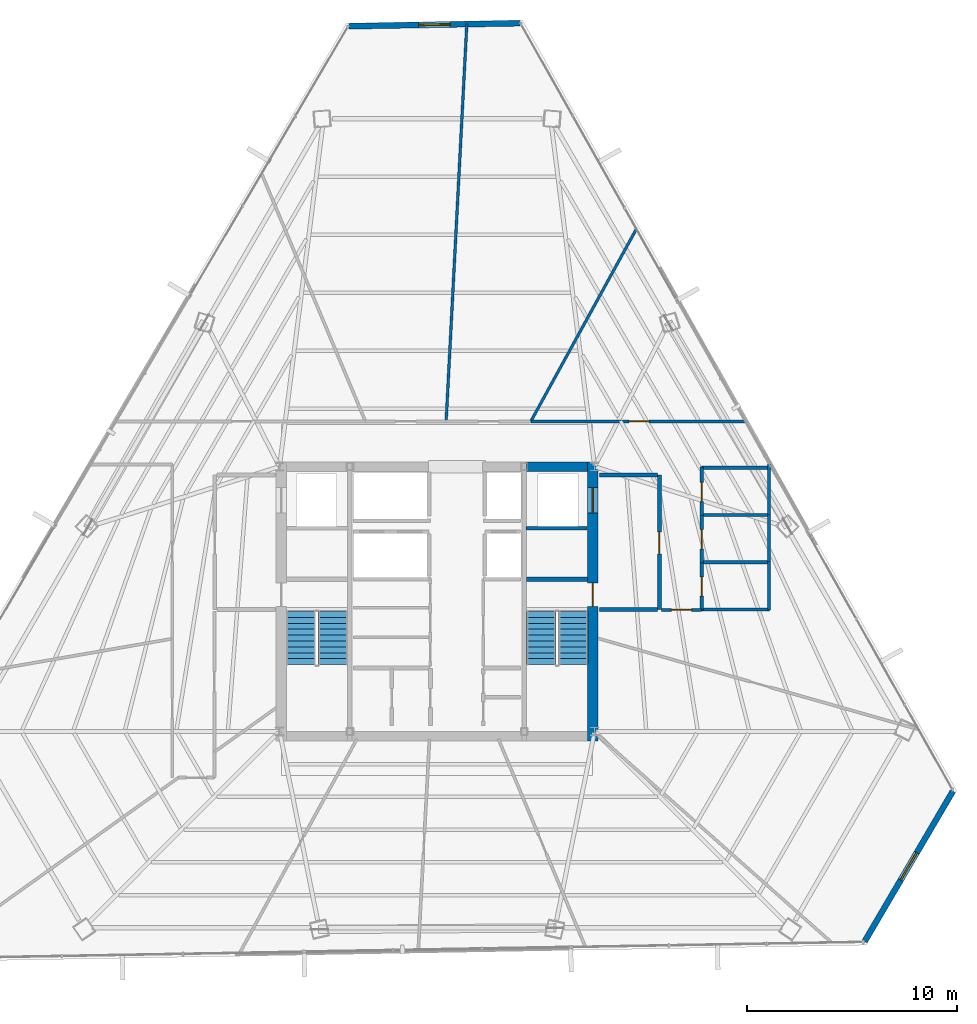
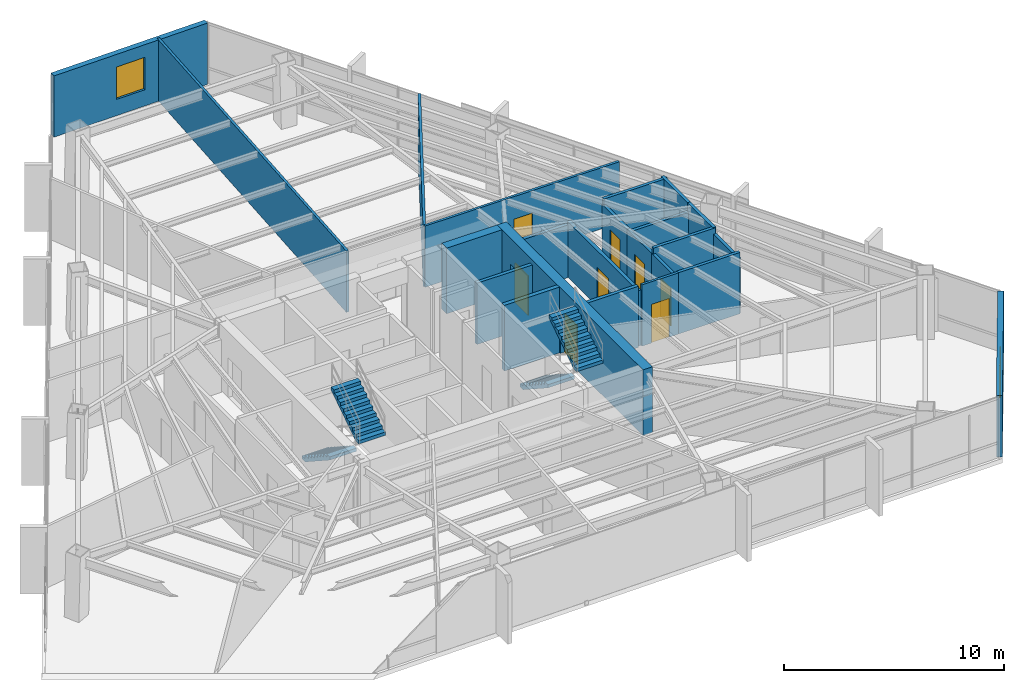
# One storey, part 37 of 42: 23 walls, 8 doors, 4 stair flights, 2 windows, 10 openings, 2 elements without a shape of their own.
"""IFC4 building model written with IfcOpenShell, lengths in metres."""

from ifc_helpers import new_model, si_unit, direction, frame, frame_2d, origin, place, context, subcontext, project, spatial, polyline, rectangle, outline, extrude, material, layer, layer_set, type_object, element, fill, aggregate, save


model = new_model("IFC4")

# Units and contexts
model_context = context("Model", 3, precision=1e-05, world=origin(), true_north=direction((0.0, 1.0)))
body_context = subcontext(model_context, "Body", "Model", "MODEL_VIEW")
ifc_project = project(units=[si_unit("LENGTHUNIT", "METRE"), si_unit("AREAUNIT", "SQUARE_METRE"), si_unit("VOLUMEUNIT", "CUBIC_METRE"), si_unit("PLANEANGLEUNIT", "RADIAN"), si_unit("MASSUNIT", "GRAM", prefix="KILO")], contexts=[model_context])

# Site, building, storey
site_placement = place(None, origin())
site = spatial("IfcSite", under=ifc_project, at=site_placement, CompositionType="ELEMENT")
building_placement = place(site_placement, origin())
building = spatial("IfcBuilding", under=site, at=building_placement, Name="Caelisora Broadcast Tower", CompositionType="ELEMENT")
storey_placement = place(building_placement, frame((0.0, 0.0, 187.699951171875)))
storey = spatial("IfcBuildingStorey", under=building, at=storey_placement, Name="L49", CompositionType="ELEMENT", Elevation=187.699951171875)

# Wall, openings, doors
ifc_material_1 = material(Name="Concrete 50 MPa (AS 3600 S50)", Category="concrete")
ifc_layer_1 = layer(ifc_material_1, 0.5, Name="Concrete 50 MPa (AS 3600 S50)")
ifc_layer_set_1 = layer_set([ifc_layer_1], Name="Concrete 50 MPa (AS 3600 S50)")
wall_type_1 = type_object("IfcWallType", Name="CW2", PredefinedType="SHEAR", material=ifc_layer_set_1)
wall_1_placement = place(storey_placement, frame((45.409912109375, 16.949951171875, 0.0), z_axis=(0.0, 0.0, 1.0), x_axis=(0.0, 1.0, 0.0)))
wall_1 = element("IfcWall", 1, at=wall_1_placement, inside=storey, type_object=wall_type_1, Name="L49 core shear wall CW2", PredefinedType="SHEAR", context=body_context, shape_type="SweptSolid", body=[
    extrude(rectangle(XDim=13.275146484375, YDim=0.5, at=frame_2d((6.6376953125, 0.0))), origin(), (0.0, 0.0, 1.0), 3.650146484375),
])
opening_1_placement = place(wall_1_placement, frame((6.39990234375, 0.0, 0.0)))
opening_1 = element("IfcOpeningElement", 2, at=opening_1_placement, cuts=wall_1, Name="Opening FD04", PredefinedType="OPENING", context=body_context, shape_type="SweptSolid", body=[
    extrude(rectangle(XDim=1.1201171875, YDim=2.14990234375, at=frame_2d((0.56005859375, 1.074951171875))), frame((0.0, 0.261962890625, 0.0), z_axis=(0.0, -1.0, 0.0), x_axis=(1.0, 0.0, 0.0)), (0.0, 0.0, 1.0), 0.52392578125),
])
opening_2_placement = place(wall_1_placement, frame((10.85009765625, 0.0, 0.0)))
opening_2 = element("IfcOpeningElement", 3, at=opening_2_placement, cuts=wall_1, Name="Opening LD04", PredefinedType="OPENING", context=body_context, shape_type="SweptSolid", body=[
    extrude(rectangle(XDim=1.199951171875, YDim=2.199951171875, at=frame_2d((0.60009765625, 1.10009765625))), frame((0.0, 0.261962890625, 0.0), z_axis=(0.0, -1.0, 0.0), x_axis=(1.0, 0.0, 0.0)), (0.0, 0.0, 1.0), 0.52392578125),
])
ifc_material_2 = material(Name="Pressurised Fire-Isolated Stair Door", Category="steel")
door_type_1 = type_object("IfcDoorType", Name="FD04", OperationType="NOTDEFINED", PredefinedType="DOOR", material=ifc_material_2)
door_1_placement = place(opening_1_placement, origin())
door_1 = element("IfcDoor", 4, at=door_1_placement, inside=storey, type_object=door_type_1, Name="L49 door FD04 (L49-DR-ST2)", OperationType="SINGLE_SWING_RIGHT", OverallHeight=2.14990234375, OverallWidth=1.1201171875, PredefinedType="DOOR", context=body_context, shape_type="SweptSolid", body=[
    extrude(rectangle(XDim=1.1201171875, YDim=2.14990234375, at=frame_2d((0.56005859375, 1.074951171875))), frame((0.0, 0.02490234375, 0.0), z_axis=(0.0, -1.0, 0.0), x_axis=(1.0, 0.0, 0.0)), (0.0, 0.0, 1.0), 0.050048828125),
])
fill(opening_1, door_1)
ifc_material_3 = material(Name="Emergency Firefighting Lift Sliding Landing Door", Category="steel")
door_type_2 = type_object("IfcDoorType", Name="LD04", OperationType="NOTDEFINED", PredefinedType="DOOR", material=ifc_material_3)
door_2_placement = place(opening_2_placement, origin())
door_2 = element("IfcDoor", 5, at=door_2_placement, inside=storey, type_object=door_type_2, Name="L49 door LD04 (L49-LD-FFL2)", OperationType="SLIDING_TO_RIGHT", OverallHeight=2.199951171875, OverallWidth=1.199951171875, PredefinedType="DOOR", context=body_context, shape_type="SweptSolid", body=[
    extrude(rectangle(XDim=1.199951171875, YDim=2.199951171875, at=frame_2d((0.60009765625, 1.10009765625))), frame((0.0, 0.02490234375, 0.0), z_axis=(0.0, -1.0, 0.0), x_axis=(1.0, 0.0, 0.0)), (0.0, 0.0, 1.0), 0.050048828125),
])
fill(opening_2, door_2)

# Walls
ifc_layer_2 = layer(ifc_material_1, 0.449951171875, Name="Concrete 50 MPa (AS 3600 S50)")
ifc_layer_set_2 = layer_set([ifc_layer_2], Name="Concrete 50 MPa (AS 3600 S50)")
wall_type_2 = type_object("IfcWallType", Name="CW5", PredefinedType="SHEAR", material=ifc_layer_set_2)
wall_2_placement = place(storey_placement, frame((42.260009765625, 30.0, 0.0), z_axis=(0.0, 0.0, 1.0), x_axis=(1.0, 0.0, 0.0)))
element("IfcWall", 6, at=wall_2_placement, inside=storey, type_object=wall_type_2, Name="L49 core shear wall CW5", PredefinedType="SHEAR", context=body_context, shape_type="SweptSolid", body=[
    extrude(rectangle(XDim=2.89990234375, YDim=0.449951171875, at=frame_2d((1.449951171875, 0.0))), origin(), (0.0, 0.0, 1.0), 3.650146484375),
])
ifc_layer_3 = layer(ifc_material_1, 0.219970703125, Name="Concrete 50 MPa (AS 3600 S50)")
ifc_layer_set_3 = layer_set([ifc_layer_3], Name="Concrete 50 MPa (AS 3600 S50)")
wall_type_3 = type_object("IfcWallType", Name="CW7", PredefinedType="SHEAR", material=ifc_layer_set_3)
wall_3_placement = place(storey_placement, frame((42.260009765625, 24.639892578125, 0.0), z_axis=(0.0, 0.0, 1.0), x_axis=(1.0, 0.0, 0.0)))
element("IfcWall", 7, at=wall_3_placement, inside=storey, type_object=wall_type_3, Name="L49 core shear wall CW7", PredefinedType="SHEAR", context=body_context, shape_type="SweptSolid", body=[
    extrude(rectangle(XDim=2.89990234375, YDim=0.219970703125, at=frame_2d((1.449951171875, 0.0))), origin(), (0.0, 0.0, 1.0), 3.650146484375),
])

# Wall, opening, window
ifc_material_4 = material(Name="Insulated Terracotta Spandrel Wall System", Category="masonry")
ifc_layer_4 = layer(ifc_material_4, 0.280029296875, Name="Insulated Terracotta Spandrel Wall System")
ifc_layer_set_4 = layer_set([ifc_layer_4], Name="Insulated Terracotta Spandrel Wall System")
wall_type_4 = type_object("IfcWallType", Name="EW1", PredefinedType="STANDARD", material=ifc_layer_set_4)
wall_4_placement = place(storey_placement, frame((62.5498046875, 14.552001953125, 0.0), z_axis=(0.0, 0.0, 1.0), x_axis=(-0.506304785475, -0.862354604676, 0.0)))
wall_4 = element("IfcWall", 8, at=wall_4_placement, inside=storey, type_object=wall_type_4, Name="L49 exterior envelope wall EW1", PredefinedType="STANDARD", context=body_context, shape_type="SweptSolid", body=[
    extrude(rectangle(XDim=8.294921875, YDim=0.280029296875, at=frame_2d((4.1474609375, 0.0))), origin(), (0.0, 0.0, 1.0), 3.400146484375),
])
opening_3_placement = place(wall_4_placement, frame((3.39990234375, 0.0, 0.89990234375)))
opening_3 = element("IfcOpeningElement", 9, at=opening_3_placement, cuts=wall_4, Name="Opening W02", PredefinedType="OPENING", context=body_context, shape_type="SweptSolid", body=[
    extrude(rectangle(XDim=1.5, YDim=1.800048828125, at=frame_2d((0.75, 0.89990234375))), frame((0.0, 0.152099609375, 0.0), z_axis=(0.0, -1.0, 0.0), x_axis=(1.0, 0.0, 0.0)), (0.0, 0.0, 1.0), 0.303955078125),
])
ifc_material_5 = material(Name="Double Glazed Terracotta-Framed Vision Window", Category="glass")
window_type = type_object("IfcWindowType", Name="W02", PartitioningType="SINGLE_PANEL", PredefinedType="WINDOW", material=ifc_material_5)
window_1_placement = place(opening_3_placement, origin())
window_1 = element("IfcWindow", 10, at=window_1_placement, inside=storey, type_object=window_type, Name="L49 window W02 (L49-WN-CH0)", OverallHeight=1.800048828125, OverallWidth=1.5, PartitioningType="SINGLE_PANEL", PredefinedType="WINDOW", context=body_context, shape_type="SweptSolid", body=[
    extrude(rectangle(XDim=1.5, YDim=1.800048828125, at=frame_2d((0.75, 0.89990234375))), frame((0.0, 0.030029296875, 0.0), z_axis=(0.0, -1.0, 0.0), x_axis=(1.0, 0.0, 0.0)), (0.0, 0.0, 1.0), 0.06005859375),
])
fill(opening_3, window_1)

wall_5_placement = place(storey_placement, frame((33.801025390625, 50.96240234375, 0.0), z_axis=(0.0, 0.0, 1.0), x_axis=(0.999845698957, 0.017566396222, 0.0)))
wall_5 = element("IfcWall", 11, at=wall_5_placement, inside=storey, type_object=wall_type_4, Name="L49 exterior envelope wall EW1", PredefinedType="STANDARD", context=body_context, shape_type="SweptSolid", body=[
    extrude(rectangle(XDim=8.144287109375, YDim=0.280029296875, at=frame_2d((4.072265625, 0.0))), origin(), (0.0, 0.0, 1.0), 3.400146484375),
])
opening_4_placement = place(wall_5_placement, frame((3.320068359375, 0.0, 0.89990234375)))
opening_4 = element("IfcOpeningElement", 12, at=opening_4_placement, cuts=wall_5, Name="Opening W02", PredefinedType="OPENING", context=body_context, shape_type="SweptSolid", body=[
    extrude(rectangle(XDim=1.5, YDim=1.800048828125, at=frame_2d((0.75, 0.89990234375))), frame((0.0, 0.152099609375, 0.0), z_axis=(0.0, -1.0, 0.0), x_axis=(1.0, 0.0, 0.0)), (0.0, 0.0, 1.0), 0.303955078125),
])
window_2_placement = place(opening_4_placement, origin())
window_2 = element("IfcWindow", 13, at=window_2_placement, inside=storey, type_object=window_type, Name="L49 window W02 (L49-WN-CH8)", OverallHeight=1.800048828125, OverallWidth=1.5, PartitioningType="SINGLE_PANEL", PredefinedType="WINDOW", context=body_context, shape_type="SweptSolid", body=[
    extrude(rectangle(XDim=1.5, YDim=1.800048828125, at=frame_2d((0.75, 0.89990234375))), frame((0.0, 0.030029296875, 0.0), z_axis=(0.0, -1.0, 0.0), x_axis=(1.0, 0.0, 0.0)), (0.0, 0.0, 1.0), 0.06005859375),
])
fill(opening_4, window_2)

# Wall, opening, door
ifc_material_6 = material(Name="Fire-Rated Gypsum Shaft and Compartment Wall", Category="gypsum")
ifc_layer_5 = layer(ifc_material_6, 0.179931640625, Name="Fire-Rated Gypsum Shaft and Compartment Wall")
ifc_layer_set_5 = layer_set([ifc_layer_5], Name="Fire-Rated Gypsum Shaft and Compartment Wall")
wall_type_5 = type_object("IfcWallType", Name="PW2", PredefinedType="PARTITIONING", material=ifc_layer_set_5)
wall_6_placement = place(storey_placement, frame((48.580078125, 23.199951171875, 0.0), z_axis=(0.0, 0.0, 1.0), x_axis=(0.0, 1.0, 0.0)))
wall_6 = element("IfcWall", 14, at=wall_6_placement, inside=storey, type_object=wall_type_5, Name="L49 fire compartment wall PW2", PredefinedType="PARTITIONING", context=body_context, shape_type="SweptSolid", body=[
    extrude(rectangle(XDim=6.400146484375, YDim=0.179931640625, at=frame_2d((3.2001953125, 0.0))), origin(), (0.0, 0.0, 1.0), 3.077880859375),
])
opening_5_placement = place(wall_6_placement, frame((2.64990234375, 0.0, 0.0)))
opening_5 = element("IfcOpeningElement", 15, at=opening_5_placement, cuts=wall_6, Name="Opening FD02", PredefinedType="OPENING", context=body_context, shape_type="SweptSolid", body=[
    extrude(rectangle(XDim=1.050048828125, YDim=2.14990234375, at=frame_2d((0.52490234375, 1.074951171875))), frame((0.0, 0.10205078125, 0.0), z_axis=(0.0, -1.0, 0.0), x_axis=(1.0, 0.0, 0.0)), (0.0, 0.0, 1.0), 0.203857421875),
])
ifc_material_7 = material(Name="Single-Leaf Steel Fire Lobby Door", Category="steel")
door_type_3 = type_object("IfcDoorType", Name="FD02", OperationType="NOTDEFINED", PredefinedType="DOOR", material=ifc_material_7)
door_3_placement = place(opening_5_placement, origin())
door_3 = element("IfcDoor", 16, at=door_3_placement, inside=storey, type_object=door_type_3, Name="L49 door FD02 (L49-DR-P04D1)", OperationType="SINGLE_SWING_LEFT", OverallHeight=2.14990234375, OverallWidth=1.050048828125, PredefinedType="DOOR", context=body_context, shape_type="SweptSolid", body=[
    extrude(rectangle(XDim=1.050048828125, YDim=2.14990234375, at=frame_2d((0.52490234375, 1.074951171875))), frame((0.0, 0.02490234375, 0.0), z_axis=(0.0, -1.0, 0.0), x_axis=(1.0, 0.0, 0.0)), (0.0, 0.0, 1.0), 0.050048828125),
])
fill(opening_5, door_3)

# Walls
wall_7_placement = place(storey_placement, frame((45.719970703125, 23.199951171875, 0.0), z_axis=(0.0, 0.0, 1.0), x_axis=(1.0, 0.0, 0.0)))
element("IfcWall", 17, at=wall_7_placement, inside=storey, type_object=wall_type_5, Name="L49 fire compartment wall PW2", PredefinedType="PARTITIONING", context=body_context, shape_type="SweptSolid", body=[
    extrude(rectangle(XDim=2.760009765625, YDim=0.179931640625, at=frame_2d((1.3798828125, 0.0))), origin(), (0.0, 0.0, 1.0), 3.400146484375),
])
wall_8_placement = place(storey_placement, frame((45.719970703125, 29.60009765625, 0.0), z_axis=(0.0, 0.0, 1.0), x_axis=(1.0, 0.0, 0.0)))
element("IfcWall", 18, at=wall_8_placement, inside=storey, type_object=wall_type_5, Name="L49 fire compartment wall PW2", PredefinedType="PARTITIONING", context=body_context, shape_type="SweptSolid", body=[
    extrude(rectangle(XDim=2.760009765625, YDim=0.179931640625, at=frame_2d((1.3798828125, 0.0))), origin(), (0.0, 0.0, 1.0), 2.924560546875),
])
wall_9_placement = place(storey_placement, frame((42.239990234375, 27.070068359375, 0.0), z_axis=(0.0, 0.0, 1.0), x_axis=(1.0, 0.0, 0.0)))
element("IfcWall", 19, at=wall_9_placement, inside=storey, type_object=wall_type_5, Name="L49 fire compartment wall PW2", PredefinedType="PARTITIONING", context=body_context, shape_type="SweptSolid", body=[
    extrude(rectangle(XDim=2.89990234375, YDim=0.179931640625, at=frame_2d((1.449951171875, 0.0))), origin(), (0.0, 0.0, 1.0), 3.400146484375),
])
ifc_material_8 = material(Name="Acoustic Steel-Stud Plasterboard Partition", Category="gypsum")
ifc_layer_6 = layer(ifc_material_8, 0.1298828125, Name="Acoustic Steel-Stud Plasterboard Partition")
ifc_layer_set_6 = layer_set([ifc_layer_6], Name="Acoustic Steel-Stud Plasterboard Partition")
wall_type_6 = type_object("IfcWallType", Name="PW3", PredefinedType="PARTITIONING", material=ifc_layer_set_6)
wall_10_placement = place(storey_placement, frame((38.429931640625, 32.155029296875, 0.0), z_axis=(0.0, 0.0, 1.0), x_axis=(0.052020200387, 0.998646032762, 0.0)))
element("IfcWall", 20, at=wall_10_placement, inside=storey, type_object=wall_type_6, Name="L49 internal partition PW3", PredefinedType="PARTITIONING", context=body_context, shape_type="SweptSolid", body=[
    extrude(rectangle(XDim=18.93701171875, YDim=0.1298828125, at=frame_2d((9.468505859375, 0.0))), origin(), (0.0, 0.0, 1.0), 3.400146484375),
])
wall_11_placement = place(storey_placement, frame((42.4619140625, 32.154052734375, 0.0), z_axis=(0.0, 0.0, 1.0), x_axis=(0.48091595193, 0.876766700542, 0.0)))
element("IfcWall", 21, at=wall_11_placement, inside=storey, type_object=wall_type_6, Name="L49 internal partition PW3", PredefinedType="PARTITIONING", context=body_context, shape_type="SweptSolid", body=[
    extrude(rectangle(XDim=10.461181640625, YDim=0.1298828125, at=frame_2d((5.23046875, 0.0))), origin(), (0.0, 0.0, 1.0), 3.400146484375),
])

# Wall, opening, door
wall_12_placement = place(storey_placement, frame((42.465087890625, 32.14990234375, 0.0), z_axis=(0.0, 0.0, 1.0), x_axis=(1.0, 0.0, 0.0)))
wall_12 = element("IfcWall", 22, at=wall_12_placement, inside=storey, type_object=wall_type_6, Name="L49 internal partition PW3", PredefinedType="PARTITIONING", context=body_context, shape_type="SweptSolid", body=[
    extrude(rectangle(XDim=10.2001953125, YDim=0.1298828125, at=frame_2d((5.10009765625, 0.0))), origin(), (0.0, 0.0, 1.0), 3.400146484375),
])
opening_6_placement = place(wall_12_placement, frame((4.672119140625, 0.0, 0.0)))
opening_6 = element("IfcOpeningElement", 23, at=opening_6_placement, cuts=wall_12, Name="Opening D01", PredefinedType="OPENING", context=body_context, shape_type="SweptSolid", body=[
    extrude(rectangle(XDim=0.9599609375, YDim=2.14990234375, at=frame_2d((0.47998046875, 1.074951171875))), frame((0.0, 0.076904296875, 0.0), z_axis=(0.0, -1.0, 0.0), x_axis=(1.0, 0.0, 0.0)), (0.0, 0.0, 1.0), 0.15380859375),
])
ifc_material_9 = material(Name="Solid-Core Timber Acoustic Office Door", Category="wood")
door_type_4 = type_object("IfcDoorType", Name="D01", OperationType="NOTDEFINED", PredefinedType="DOOR", material=ifc_material_9)
door_4_placement = place(opening_6_placement, origin())
door_4 = element("IfcDoor", 24, at=door_4_placement, inside=storey, type_object=door_type_4, Name="L49 door D01 (L49-DR-P38D1)", OperationType="SINGLE_SWING_LEFT", OverallHeight=2.14990234375, OverallWidth=0.9599609375, PredefinedType="DOOR", context=body_context, shape_type="SweptSolid", body=[
    extrude(rectangle(XDim=0.9599609375, YDim=2.14990234375, at=frame_2d((0.47998046875, 1.074951171875))), frame((0.0, 0.02490234375, 0.0), z_axis=(0.0, -1.0, 0.0), x_axis=(1.0, 0.0, 0.0)), (0.0, 0.0, 1.0), 0.050048828125),
])
fill(opening_6, door_4)

wall_13_placement = place(storey_placement, frame((48.675048828125, 23.179931640625, 0.0), z_axis=(0.0, 0.0, 1.0), x_axis=(1.0, 0.0, 0.0)))
wall_13 = element("IfcWall", 25, at=wall_13_placement, inside=storey, type_object=wall_type_6, Name="L49 internal partition PW3", PredefinedType="PARTITIONING", context=body_context, shape_type="SweptSolid", body=[
    extrude(rectangle(XDim=1.919921875, YDim=0.1298828125, at=frame_2d((0.9599609375, 0.0))), origin(), (0.0, 0.0, 1.0), 3.400146484375),
])
opening_7_placement = place(wall_13_placement, frame((0.47998046875, 0.0, 0.0)))
opening_7 = element("IfcOpeningElement", 26, at=opening_7_placement, cuts=wall_13, Name="Opening D01", PredefinedType="OPENING", context=body_context, shape_type="SweptSolid", body=[
    extrude(rectangle(XDim=0.9599609375, YDim=2.14990234375, at=frame_2d((0.47998046875, 1.074951171875))), frame((0.0, 0.076904296875, 0.0), z_axis=(0.0, -1.0, 0.0), x_axis=(1.0, 0.0, 0.0)), (0.0, 0.0, 1.0), 0.15380859375),
])
door_5_placement = place(opening_7_placement, origin())
door_5 = element("IfcDoor", 27, at=door_5_placement, inside=storey, type_object=door_type_4, Name="L49 door D01 (L49-DR-P50D1)", OperationType="SINGLE_SWING_RIGHT", OverallHeight=2.14990234375, OverallWidth=0.9599609375, PredefinedType="DOOR", context=body_context, shape_type="SweptSolid", body=[
    extrude(rectangle(XDim=0.9599609375, YDim=2.14990234375, at=frame_2d((0.47998046875, 1.074951171875))), frame((0.0, 0.02490234375, 0.0), z_axis=(0.0, -1.0, 0.0), x_axis=(1.0, 0.0, 0.0)), (0.0, 0.0, 1.0), 0.050048828125),
])
fill(opening_7, door_5)

# Walls
ifc_material_10 = material(Name="Moisture-Resistant Wet Plumbing Service Wall", Category="gypsum")
ifc_layer_7 = layer(ifc_material_10, 0.159912109375, Name="Moisture-Resistant Wet Plumbing Service Wall")
ifc_layer_set_7 = layer_set([ifc_layer_7], Name="Moisture-Resistant Wet Plumbing Service Wall")
wall_type_7 = type_object("IfcWallType", Name="PW4", PredefinedType="PLUMBINGWALL", material=ifc_layer_set_7)
for number, where, z_axis, x_axis, name in (
    (28, (50.574951171875, 23.199951171875, 0.0), (0.0, 0.0, 1.0), (1.0, 0.0, 0.0), "L49 wet plumbing wall PW4"),
    (29, (50.574951171875, 25.449951171875, 0.0), (0.0, 0.0, 1.0), (1.0, 0.0, 0.0), "L49 wet plumbing wall PW4"),
):
    element("IfcWall", number, at=place(storey_placement, frame(where, z_axis=z_axis, x_axis=x_axis)), inside=storey, type_object=wall_type_7, Name=name, PredefinedType="PLUMBINGWALL", context=body_context, shape_type="SweptSolid", body=[
        extrude(rectangle(XDim=3.25, YDim=0.159912109375, at=frame_2d((1.625, 0.0))), origin(), (0.0, 0.0, 1.0), 3.400146484375),
    ])
wall_14_placement = place(storey_placement, frame((50.574951171875, 27.699951171875, 0.0), z_axis=(0.0, 0.0, 1.0), x_axis=(1.0, 0.0, 0.0)))
element("IfcWall", 30, at=wall_14_placement, inside=storey, type_object=wall_type_7, Name="L49 wet plumbing wall PW4", PredefinedType="PLUMBINGWALL", context=body_context, shape_type="SweptSolid", body=[
    extrude(rectangle(XDim=3.25, YDim=0.159912109375, at=frame_2d((1.625, 0.0))), origin(), (0.0, 0.0, 1.0), 2.924560546875),
])
wall_15_placement = place(storey_placement, frame((53.909912109375, 29.949951171875, 0.0), z_axis=(0.0, 0.0, 1.0), x_axis=(-1.0, 0.0, 0.0)))
element("IfcWall", 31, at=wall_15_placement, inside=storey, type_object=wall_type_7, Name="L49 wet plumbing wall PW4", PredefinedType="PLUMBINGWALL", context=body_context, shape_type="SweptSolid", body=[
    extrude(rectangle(XDim=3.3349609375, YDim=0.159912109375, at=frame_2d((1.66748046875, 0.0))), origin(), (0.0, 0.0, 1.0), 3.400146484375),
])

# Wall, opening, door
wall_16_placement = place(storey_placement, frame((50.60009765625, 27.675048828125, 0.0), z_axis=(0.0, 0.0, 1.0), x_axis=(0.0, 1.0, 0.0)))
wall_16 = element("IfcWall", 32, at=wall_16_placement, inside=storey, type_object=wall_type_7, Name="L49 wet plumbing wall PW4", PredefinedType="PLUMBINGWALL", context=body_context, shape_type="SweptSolid", body=[
    extrude(rectangle(XDim=2.300048828125, YDim=0.159912109375, at=frame_2d((1.14990234375, 0.0))), origin(), (0.0, 0.0, 1.0), 3.077880859375),
])
opening_8_placement = place(wall_16_placement, frame((0.659912109375, 0.0, 0.0)))
opening_8 = element("IfcOpeningElement", 33, at=opening_8_placement, cuts=wall_16, Name="Opening D03", PredefinedType="OPENING", context=body_context, shape_type="SweptSolid", body=[
    extrude(rectangle(XDim=0.919921875, YDim=2.10009765625, at=frame_2d((0.4599609375, 1.050048828125))), frame((0.0, 0.092041015625, 0.0), z_axis=(0.0, -1.0, 0.0), x_axis=(1.0, 0.0, 0.0)), (0.0, 0.0, 1.0), 0.183837890625),
])
ifc_material_11 = material(Name="Laminate Moisture-Resistant Amenity WC Door", Category="wood")
door_type_5 = type_object("IfcDoorType", Name="D03", OperationType="NOTDEFINED", PredefinedType="DOOR", material=ifc_material_11)
door_6_placement = place(opening_8_placement, origin())
door_6 = element("IfcDoor", 34, at=door_6_placement, inside=storey, type_object=door_type_5, Name="L49 door D03 (L49-DR-P23D1)", OperationType="SINGLE_SWING_RIGHT", OverallHeight=2.10009765625, OverallWidth=0.919921875, PredefinedType="DOOR", context=body_context, shape_type="SweptSolid", body=[
    extrude(rectangle(XDim=0.919921875, YDim=2.10009765625, at=frame_2d((0.4599609375, 1.050048828125))), frame((0.0, 0.02490234375, 0.0), z_axis=(0.0, -1.0, 0.0), x_axis=(1.0, 0.0, 0.0)), (0.0, 0.0, 1.0), 0.050048828125),
])
fill(opening_8, door_6)

wall_17_placement = place(storey_placement, frame((50.60009765625, 25.425048828125, 0.0), z_axis=(0.0, 0.0, 1.0), x_axis=(0.0, 1.0, 0.0)))
wall_17 = element("IfcWall", 35, at=wall_17_placement, inside=storey, type_object=wall_type_7, Name="L49 wet plumbing wall PW4", PredefinedType="PLUMBINGWALL", context=body_context, shape_type="SweptSolid", body=[
    extrude(rectangle(XDim=2.300048828125, YDim=0.159912109375, at=frame_2d((1.14990234375, 0.0))), origin(), (0.0, 0.0, 1.0), 3.077880859375),
])
opening_9_placement = place(wall_17_placement, frame((0.659912109375, 0.0, 0.0)))
opening_9 = element("IfcOpeningElement", 36, at=opening_9_placement, cuts=wall_17, Name="Opening D03", PredefinedType="OPENING", context=body_context, shape_type="SweptSolid", body=[
    extrude(rectangle(XDim=0.919921875, YDim=2.10009765625, at=frame_2d((0.4599609375, 1.050048828125))), frame((0.0, 0.092041015625, 0.0), z_axis=(0.0, -1.0, 0.0), x_axis=(1.0, 0.0, 0.0)), (0.0, 0.0, 1.0), 0.183837890625),
])
door_7_placement = place(opening_9_placement, origin())
door_7 = element("IfcDoor", 37, at=door_7_placement, inside=storey, type_object=door_type_5, Name="L49 door D03 (L49-DR-P24D1)", OperationType="SINGLE_SWING_LEFT", OverallHeight=2.10009765625, OverallWidth=0.919921875, PredefinedType="DOOR", context=body_context, shape_type="SweptSolid", body=[
    extrude(rectangle(XDim=0.919921875, YDim=2.10009765625, at=frame_2d((0.4599609375, 1.050048828125))), frame((0.0, 0.02490234375, 0.0), z_axis=(0.0, -1.0, 0.0), x_axis=(1.0, 0.0, 0.0)), (0.0, 0.0, 1.0), 0.050048828125),
])
fill(opening_9, door_7)

wall_18_placement = place(storey_placement, frame((50.60009765625, 23.175048828125, 0.0), z_axis=(0.0, 0.0, 1.0), x_axis=(0.0, 1.0, 0.0)))
wall_18 = element("IfcWall", 38, at=wall_18_placement, inside=storey, type_object=wall_type_7, Name="L49 wet plumbing wall PW4", PredefinedType="PLUMBINGWALL", context=body_context, shape_type="SweptSolid", body=[
    extrude(rectangle(XDim=2.300048828125, YDim=0.159912109375, at=frame_2d((1.14990234375, 0.0))), origin(), (0.0, 0.0, 1.0), 3.077880859375),
])
opening_10_placement = place(wall_18_placement, frame((0.659912109375, 0.0, 0.0)))
opening_10 = element("IfcOpeningElement", 39, at=opening_10_placement, cuts=wall_18, Name="Opening D03", PredefinedType="OPENING", context=body_context, shape_type="SweptSolid", body=[
    extrude(rectangle(XDim=0.919921875, YDim=2.10009765625, at=frame_2d((0.4599609375, 1.050048828125))), frame((0.0, 0.092041015625, 0.0), z_axis=(0.0, -1.0, 0.0), x_axis=(1.0, 0.0, 0.0)), (0.0, 0.0, 1.0), 0.183837890625),
])
door_8_placement = place(opening_10_placement, origin())
door_8 = element("IfcDoor", 40, at=door_8_placement, inside=storey, type_object=door_type_5, Name="L49 door D03 (L49-DR-P25D1)", OperationType="SINGLE_SWING_RIGHT", OverallHeight=2.10009765625, OverallWidth=0.919921875, PredefinedType="DOOR", context=body_context, shape_type="SweptSolid", body=[
    extrude(rectangle(XDim=0.919921875, YDim=2.10009765625, at=frame_2d((0.4599609375, 1.050048828125))), frame((0.0, 0.02490234375, 0.0), z_axis=(0.0, -1.0, 0.0), x_axis=(1.0, 0.0, 0.0)), (0.0, 0.0, 1.0), 0.050048828125),
])
fill(opening_10, door_8)

# Walls
wall_19_placement = place(storey_placement, frame((53.800048828125, 23.175048828125, 0.0), z_axis=(0.0, 0.0, 1.0), x_axis=(0.0, 1.0, 0.0)))
element("IfcWall", 41, at=wall_19_placement, inside=storey, type_object=wall_type_7, Name="L49 wet plumbing wall PW4", PredefinedType="PLUMBINGWALL", context=body_context, shape_type="SweptSolid", body=[
    extrude(rectangle(XDim=2.300048828125, YDim=0.159912109375, at=frame_2d((1.14990234375, 0.0))), origin(), (0.0, 0.0, 1.0), 3.077880859375),
])
wall_20_placement = place(storey_placement, frame((53.800048828125, 25.425048828125, 0.0), z_axis=(0.0, 0.0, 1.0), x_axis=(0.0, 1.0, 0.0)))
element("IfcWall", 42, at=wall_20_placement, inside=storey, type_object=wall_type_7, Name="L49 wet plumbing wall PW4", PredefinedType="PLUMBINGWALL", context=body_context, shape_type="SweptSolid", body=[
    extrude(rectangle(XDim=2.300048828125, YDim=0.159912109375, at=frame_2d((1.14990234375, 0.0))), origin(), (0.0, 0.0, 1.0), 3.400146484375),
])
wall_21_placement = place(storey_placement, frame((53.800048828125, 27.675048828125, 0.0), z_axis=(0.0, 0.0, 1.0), x_axis=(0.0, 1.0, 0.0)))
element("IfcWall", 43, at=wall_21_placement, inside=storey, type_object=wall_type_7, Name="L49 wet plumbing wall PW4", PredefinedType="PLUMBINGWALL", context=body_context, shape_type="SweptSolid", body=[
    extrude(rectangle(XDim=2.4619140625, YDim=0.159912109375, at=frame_2d((1.23095703125, 0.0))), origin(), (0.0, 0.0, 1.0), 3.400146484375),
])

# Stair, stair flights
ifc_material_12 = material(Name="Concrete 40 MPa (AS 3600 N40)", Category="concrete")
stair_type_1 = type_object("IfcStairType", Name="ST-1", PredefinedType="HALF_TURN_STAIR", material=ifc_material_12)
stair_1_placement = place(storey_placement, origin())
stair_1 = element("IfcStair", 44, at=stair_1_placement, inside=storey, type_object=stair_type_1, Name="L49 West Fire-Isolated Tower Stair", PredefinedType="HALF_TURN_STAIR")
stair_flight_type = type_object("IfcStairFlightType", Name="STF-3", PredefinedType="STRAIGHT", material=ifc_material_12)
stair_flight_1_placement = place(storey_placement, frame((31.52001953125, 23.10009765625, 0.0), z_axis=(0.0, 0.0, 1.0), x_axis=(0.0, -1.0, 0.0)))
stair_flight_1 = element("IfcStairFlight", 45, at=stair_flight_1_placement, type_object=stair_flight_type, Name="ST-1 flight 1", NumberOfRisers=10, NumberOfTreads=9, PredefinedType="STRAIGHT", RiserHeight=0.1825, TreadLength=0.28, context=body_context, shape_type="SweptSolid", body=[
    extrude(outline(polyline([(0.0, 0.0), (0.0, 0.1826171875), (0.280029296875, 0.1826171875), (0.280029296875, 0.364990234375), (0.56005859375, 0.364990234375), (0.56005859375, 0.547607421875), (0.840087890625, 0.547607421875), (0.840087890625, 0.72998046875), (1.1201171875, 0.72998046875), (1.1201171875, 0.91259765625), (1.39990234375, 0.91259765625), (1.39990234375, 1.094970703125), (1.679931640625, 1.094970703125), (1.679931640625, 1.277587890625), (1.9599609375, 1.277587890625), (1.9599609375, 1.4599609375), (2.239990234375, 1.4599609375), (2.239990234375, 1.642578125), (2.52001953125, 1.642578125), (2.52001953125, 1.824951171875), (2.52001953125, 1.463623046875), (0.2744140625, 0.0), (0.0, 0.0)])), frame((0.0, 0.699951171875, 0.0), z_axis=(0.0, -1.0, 0.0), x_axis=(1.0, 0.0, 0.0)), (0.0, 0.0, 1.0), 1.39990234375),
])
stair_flight_2_placement = place(storey_placement, frame((33.0400390625, 20.580078125, 1.824951171875), z_axis=(0.0, 0.0, 1.0), x_axis=(0.0, 1.0, 0.0)))
stair_flight_2 = element("IfcStairFlight", 46, at=stair_flight_2_placement, type_object=stair_flight_type, Name="ST-1 flight 2", NumberOfRisers=10, NumberOfTreads=9, PredefinedType="STRAIGHT", RiserHeight=0.1825, TreadLength=0.28, context=body_context, shape_type="SweptSolid", body=[
    extrude(outline(polyline([(0.0, 0.0), (0.0, 0.1826171875), (0.280029296875, 0.1826171875), (0.280029296875, 0.364990234375), (0.56005859375, 0.364990234375), (0.56005859375, 0.547607421875), (0.840087890625, 0.547607421875), (0.840087890625, 0.72998046875), (1.1201171875, 0.72998046875), (1.1201171875, 0.91259765625), (1.39990234375, 0.91259765625), (1.39990234375, 1.094970703125), (1.679931640625, 1.094970703125), (1.679931640625, 1.277587890625), (1.9599609375, 1.277587890625), (1.9599609375, 1.4599609375), (2.239990234375, 1.4599609375), (2.239990234375, 1.642578125), (2.52001953125, 1.642578125), (2.52001953125, 1.824951171875), (2.52001953125, 1.463623046875), (0.2744140625, 0.0), (0.0, 0.0)])), frame((0.0, 0.699951171875, 0.0), z_axis=(0.0, -1.0, 0.0), x_axis=(1.0, 0.0, 0.0)), (0.0, 0.0, 1.0), 1.39990234375),
])
aggregate(stair_1, [stair_flight_1, stair_flight_2])

stair_type_2 = type_object("IfcStairType", Name="ST-2", PredefinedType="HALF_TURN_STAIR", material=ifc_material_12)
stair_2_placement = place(storey_placement, origin())
stair_2 = element("IfcStair", 47, at=stair_2_placement, inside=storey, type_object=stair_type_2, Name="L49 East Fire-Isolated Tower Stair", PredefinedType="HALF_TURN_STAIR")
stair_flight_3_placement = place(storey_placement, frame((42.9599609375, 23.10009765625, 0.0), z_axis=(0.0, 0.0, 1.0), x_axis=(0.0, -1.0, 0.0)))
stair_flight_3 = element("IfcStairFlight", 48, at=stair_flight_3_placement, type_object=stair_flight_type, Name="ST-2 flight 1", NumberOfRisers=10, NumberOfTreads=9, PredefinedType="STRAIGHT", RiserHeight=0.1825, TreadLength=0.28, context=body_context, shape_type="SweptSolid", body=[
    extrude(outline(polyline([(0.0, 0.0), (0.0, 0.1826171875), (0.280029296875, 0.1826171875), (0.280029296875, 0.364990234375), (0.56005859375, 0.364990234375), (0.56005859375, 0.547607421875), (0.840087890625, 0.547607421875), (0.840087890625, 0.72998046875), (1.1201171875, 0.72998046875), (1.1201171875, 0.91259765625), (1.39990234375, 0.91259765625), (1.39990234375, 1.094970703125), (1.679931640625, 1.094970703125), (1.679931640625, 1.277587890625), (1.9599609375, 1.277587890625), (1.9599609375, 1.4599609375), (2.239990234375, 1.4599609375), (2.239990234375, 1.642578125), (2.52001953125, 1.642578125), (2.52001953125, 1.824951171875), (2.52001953125, 1.463623046875), (0.2744140625, 0.0), (0.0, 0.0)])), frame((0.0, 0.699951171875, 0.0), z_axis=(0.0, -1.0, 0.0), x_axis=(1.0, 0.0, 0.0)), (0.0, 0.0, 1.0), 1.39990234375),
])
stair_flight_4_placement = place(storey_placement, frame((44.47998046875, 20.580078125, 1.824951171875), z_axis=(0.0, 0.0, 1.0), x_axis=(0.0, 1.0, 0.0)))
stair_flight_4 = element("IfcStairFlight", 49, at=stair_flight_4_placement, type_object=stair_flight_type, Name="ST-2 flight 2", NumberOfRisers=10, NumberOfTreads=9, PredefinedType="STRAIGHT", RiserHeight=0.1825, TreadLength=0.28, context=body_context, shape_type="SweptSolid", body=[
    extrude(outline(polyline([(0.0, 0.0), (0.0, 0.1826171875), (0.280029296875, 0.1826171875), (0.280029296875, 0.364990234375), (0.56005859375, 0.364990234375), (0.56005859375, 0.547607421875), (0.840087890625, 0.547607421875), (0.840087890625, 0.72998046875), (1.1201171875, 0.72998046875), (1.1201171875, 0.91259765625), (1.39990234375, 0.91259765625), (1.39990234375, 1.094970703125), (1.679931640625, 1.094970703125), (1.679931640625, 1.277587890625), (1.9599609375, 1.277587890625), (1.9599609375, 1.4599609375), (2.239990234375, 1.4599609375), (2.239990234375, 1.642578125), (2.52001953125, 1.642578125), (2.52001953125, 1.824951171875), (2.52001953125, 1.463623046875), (0.2744140625, 0.0), (0.0, 0.0)])), frame((0.0, 0.699951171875, 0.0), z_axis=(0.0, -1.0, 0.0), x_axis=(1.0, 0.0, 0.0)), (0.0, 0.0, 1.0), 1.39990234375),
])
aggregate(stair_2, [stair_flight_3, stair_flight_4])

save(model, "model.ifc")
